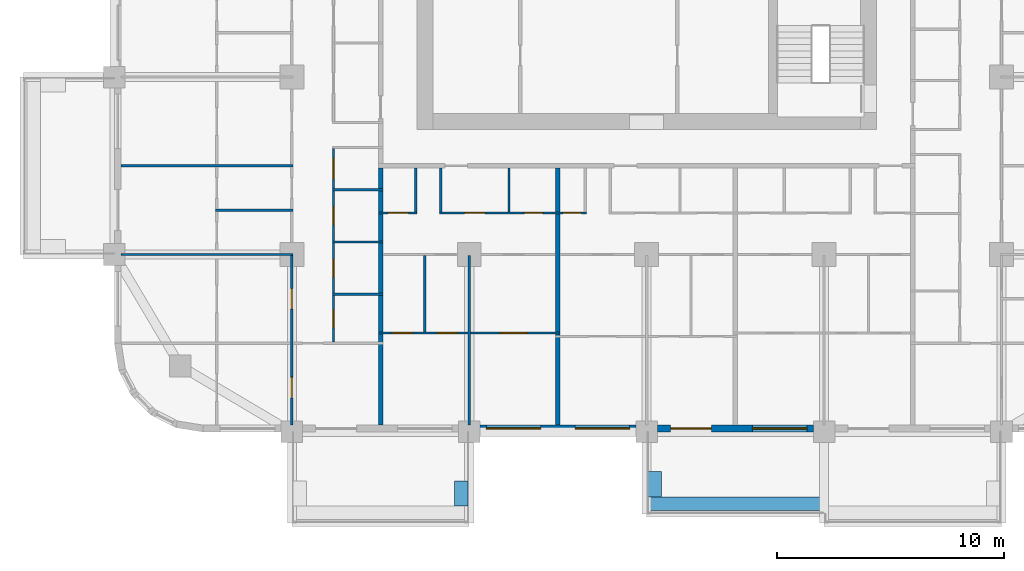
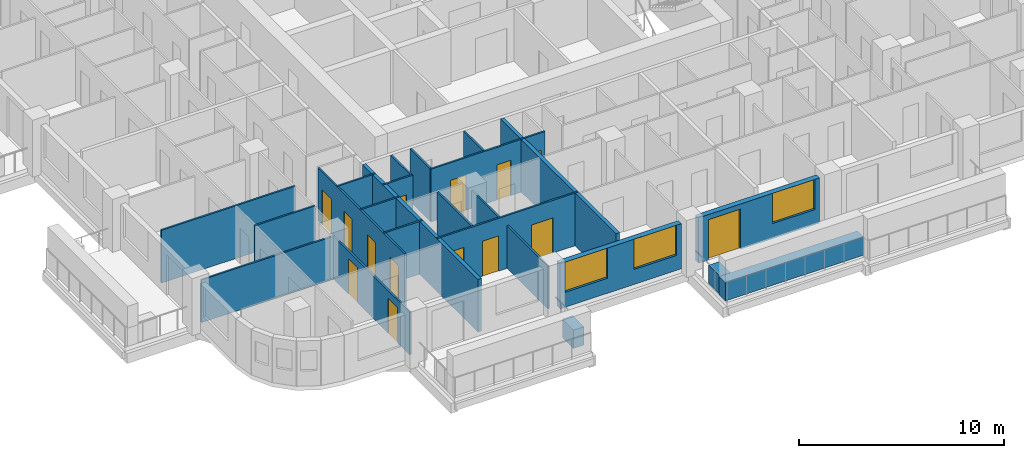
# One storey, part 3 of 18: 23 walls, 14 doors, 3 windows, 17 openings.
"""IFC4 building model written with IfcOpenShell, lengths in metres."""

from ifc_helpers import new_model, si_unit, direction, frame, frame_2d, origin, place, context, subcontext, project, spatial, rectangle, extrude, material, layer, layer_set, type_object, element, fill, save


model = new_model("IFC4")

# Units and contexts
model_context = context("Model", 3, precision=1e-05, world=origin(), true_north=direction((0.0, 1.0)))
body_context = subcontext(model_context, "Body", "Model", "MODEL_VIEW")
ifc_project = project(units=[si_unit("LENGTHUNIT", "METRE"), si_unit("AREAUNIT", "SQUARE_METRE"), si_unit("VOLUMEUNIT", "CUBIC_METRE"), si_unit("PLANEANGLEUNIT", "RADIAN"), si_unit("MASSUNIT", "GRAM", prefix="KILO")], contexts=[model_context])

# Site, building, storey
site_placement = place(None, origin())
site = spatial("IfcSite", under=ifc_project, at=site_placement, CompositionType="ELEMENT")
building_placement = place(site_placement, origin())
building = spatial("IfcBuilding", under=site, at=building_placement, Name="Ludao Terraces", CompositionType="ELEMENT")
storey_placement = place(building_placement, frame((0.0, 0.0, 78.39990234375)))
storey = spatial("IfcBuildingStorey", under=building, at=storey_placement, Name="L21", CompositionType="ELEMENT", Elevation=78.39990234375)

# Walls
ifc_material_1 = material(Name="Concrete C40", Category="concrete")
ifc_layer_1 = layer(ifc_material_1, 0.60009765625)
ifc_layer_set_1 = layer_set([ifc_layer_1], Name="ENV Planter trough 600")
wall_type_1 = type_object("IfcWallType", Name="ENV Planter trough 600", PredefinedType="USERDEFINED", material=ifc_layer_set_1)
wall_1_placement = place(storey_placement, frame((76.85009765625, 38.35009765625, 0.0), z_axis=(0.0, 0.0, 1.0), x_axis=(0.0, 1.0, 0.0)))
element("IfcWall", 1, at=wall_1_placement, inside=storey, type_object=wall_type_1, Name="PL-L21-S1-SB", ObjectType="PLANTER", PredefinedType="USERDEFINED", context=body_context, shape_type="SweptSolid", body=[
    extrude(rectangle(XDim=1.099853515625, YDim=0.60009765625, at=frame_2d((0.5498046875, 0.0))), origin(), (0.0, 0.0, 1.0), 1.10009765625),
])
wall_2_placement = place(storey_placement, frame((85.0, 38.449951171875, 0.0), z_axis=(0.0, 0.0, 1.0), x_axis=(1.0, 0.0, 0.0)))
element("IfcWall", 2, at=wall_2_placement, inside=storey, type_object=wall_type_1, Name="PL-L21-S3", ObjectType="PLANTER", PredefinedType="USERDEFINED", context=body_context, shape_type="SweptSolid", body=[
    extrude(rectangle(XDim=7.800048828125, YDim=0.60009765625, at=frame_2d((3.89990234375, 0.0))), origin(), (0.0, 0.0, 1.0), 1.10009765625),
])
wall_3_placement = place(storey_placement, frame((85.35009765625, 38.75, 0.0), z_axis=(0.0, 0.0, 1.0), x_axis=(0.0, 1.0, 0.0)))
element("IfcWall", 3, at=wall_3_placement, inside=storey, type_object=wall_type_1, Name="PL-L21-S3-SA", ObjectType="PLANTER", PredefinedType="USERDEFINED", context=body_context, shape_type="SweptSolid", body=[
    extrude(rectangle(XDim=1.10009765625, YDim=0.60009765625, at=frame_2d((0.550048828125, 0.0))), origin(), (0.0, 0.0, 1.0), 1.10009765625),
])

# Wall, openings, windows
ifc_material_2 = material(Name="Granite cladding", Category="masonry")
ifc_layer_2 = layer(ifc_material_2, 0.0400390625, Category="stone")
ifc_material_3 = material(Name="Mineral wool")
ifc_layer_3 = layer(ifc_material_3, 0.06005859375)
ifc_layer_4 = layer(ifc_material_1, 0.199951171875, Category="concrete")
ifc_layer_set_2 = layer_set([ifc_layer_2, ifc_layer_3, ifc_layer_4], Name="ENV Stone-clad wall 300")
wall_type_2 = type_object("IfcWallType", Name="ENV Stone-clad wall 300", PredefinedType="SOLIDWALL", material=ifc_layer_set_2)
wall_4_placement = place(storey_placement, frame((77.675048828125, 41.75, 0.0), z_axis=(0.0, 0.0, 1.0), x_axis=(1.0, 0.0, 0.0)))
wall_4 = element("IfcWall", 4, at=wall_4_placement, inside=storey, type_object=wall_type_2, Name="EW-L21-S3", PredefinedType="SOLIDWALL", context=body_context, shape_type="SweptSolid", body=[
    extrude(rectangle(XDim=6.849853515625, YDim=0.300048828125, at=frame_2d((3.4248046875, 0.0))), origin(), (0.0, 0.0, 1.0), 2.7001953125),
])
opening_1_placement = place(wall_4_placement, frame((0.27490234375, 0.0, 0.89990234375)))
opening_1 = element("IfcOpeningElement", 5, at=opening_1_placement, cuts=wall_4, Name="Opening W1", PredefinedType="OPENING", context=body_context, shape_type="SweptSolid", body=[
    extrude(rectangle(XDim=2.39990234375, YDim=1.800048828125, at=frame_2d((1.199951171875, 0.89990234375))), frame((0.0, 0.16015625, 0.0), z_axis=(0.0, -1.0, 0.0), x_axis=(1.0, 0.0, 0.0)), (0.0, 0.0, 1.0), 0.320068359375),
])
opening_2_placement = place(wall_4_placement, frame((4.175048828125, 0.0, 0.89990234375)))
opening_2 = element("IfcOpeningElement", 6, at=opening_2_placement, cuts=wall_4, Name="Opening W1", PredefinedType="OPENING", context=body_context, shape_type="SweptSolid", body=[
    extrude(rectangle(XDim=2.39990234375, YDim=1.800048828125, at=frame_2d((1.199951171875, 0.89990234375))), frame((0.0, 0.16015625, 0.0), z_axis=(0.0, -1.0, 0.0), x_axis=(1.0, 0.0, 0.0)), (0.0, 0.0, 1.0), 0.320068359375),
])
ifc_material_4 = material(Name="Clear glass in aluminium frame", Category="aluminium")
ifc_layer_5 = layer(ifc_material_4, 0.06005859375)
ifc_layer_set_3 = layer_set([ifc_layer_5], Name="ENV Window W1 2400x1800")
window_type = type_object("IfcWindowType", Name="ENV Window W1 2400x1800", PartitioningType="DOUBLE_PANEL_VERTICAL", PredefinedType="WINDOW", material=ifc_layer_set_3)
window_1_placement = place(opening_1_placement, origin())
window_1 = element("IfcWindow", 7, at=window_1_placement, inside=storey, type_object=window_type, Name="W-L21-S3-1", OverallHeight=1.800048828125, OverallWidth=2.39990234375, PartitioningType="DOUBLE_PANEL_VERTICAL", PredefinedType="WINDOW", context=body_context, shape_type="SweptSolid", body=[
    extrude(rectangle(XDim=2.39990234375, YDim=1.800048828125, at=frame_2d((1.199951171875, 0.89990234375))), frame((0.0, 0.030029296875, 0.0), z_axis=(0.0, -1.0, 0.0), x_axis=(1.0, 0.0, 0.0)), (0.0, 0.0, 1.0), 0.06005859375),
])
fill(opening_1, window_1)
window_2_placement = place(opening_2_placement, origin())
window_2 = element("IfcWindow", 8, at=window_2_placement, inside=storey, type_object=window_type, Name="W-L21-S3-2", OverallHeight=1.800048828125, OverallWidth=2.39990234375, PartitioningType="DOUBLE_PANEL_VERTICAL", PredefinedType="WINDOW", context=body_context, shape_type="SweptSolid", body=[
    extrude(rectangle(XDim=2.39990234375, YDim=1.800048828125, at=frame_2d((1.199951171875, 0.89990234375))), frame((0.0, 0.030029296875, 0.0), z_axis=(0.0, -1.0, 0.0), x_axis=(1.0, 0.0, 0.0)), (0.0, 0.0, 1.0), 0.06005859375),
])
fill(opening_2, window_2)

# Wall, openings, door, window
wall_5_placement = place(storey_placement, frame((85.47509765625, 41.75, 0.0), z_axis=(0.0, 0.0, 1.0), x_axis=(1.0, 0.0, 0.0)))
wall_5 = element("IfcWall", 9, at=wall_5_placement, inside=storey, type_object=wall_type_2, Name="EW-L21-S4", PredefinedType="SOLIDWALL", context=body_context, shape_type="SweptSolid", body=[
    extrude(rectangle(XDim=6.849853515625, YDim=0.300048828125, at=frame_2d((3.4248046875, 0.0))), origin(), (0.0, 0.0, 1.0), 2.7001953125),
])
opening_3_placement = place(wall_5_placement, frame((0.574951171875, 0.0, 0.0)))
opening_3 = element("IfcOpeningElement", 10, at=opening_3_placement, cuts=wall_5, Name="Opening BD", PredefinedType="OPENING", context=body_context, shape_type="SweptSolid", body=[
    extrude(rectangle(XDim=1.800048828125, YDim=2.39990234375, at=frame_2d((0.89990234375, 1.199951171875))), frame((0.0, 0.16015625, 0.0), z_axis=(0.0, -1.0, 0.0), x_axis=(1.0, 0.0, 0.0)), (0.0, 0.0, 1.0), 0.320068359375),
])
opening_4_placement = place(wall_5_placement, frame((4.175048828125, 0.0, 0.89990234375)))
opening_4 = element("IfcOpeningElement", 11, at=opening_4_placement, cuts=wall_5, Name="Opening W1", PredefinedType="OPENING", context=body_context, shape_type="SweptSolid", body=[
    extrude(rectangle(XDim=2.39990234375, YDim=1.800048828125, at=frame_2d((1.199951171875, 0.89990234375))), frame((0.0, 0.16015625, 0.0), z_axis=(0.0, -1.0, 0.0), x_axis=(1.0, 0.0, 0.0)), (0.0, 0.0, 1.0), 0.320068359375),
])
ifc_material_5 = material(Name="Aluminium glazed door", Category="aluminium")
ifc_layer_6 = layer(ifc_material_5, 0.06005859375)
ifc_layer_set_4 = layer_set([ifc_layer_6], Name="ENV Balcony door BD 1800x2400")
door_type_1 = type_object("IfcDoorType", Name="ENV Balcony door BD 1800x2400", OperationType="DOUBLE_DOOR_SINGLE_SWING", PredefinedType="DOOR", material=ifc_layer_set_4)
door_1_placement = place(opening_3_placement, origin())
door_1 = element("IfcDoor", 12, at=door_1_placement, inside=storey, type_object=door_type_1, Name="BD-L21-S4-1", OperationType="DOUBLE_DOOR_SINGLE_SWING", OverallHeight=2.39990234375, OverallWidth=1.800048828125, PredefinedType="DOOR", context=body_context, shape_type="SweptSolid", body=[
    extrude(rectangle(XDim=1.800048828125, YDim=2.39990234375, at=frame_2d((0.89990234375, 1.199951171875))), frame((0.0, 0.02490234375, 0.0), z_axis=(0.0, -1.0, 0.0), x_axis=(1.0, 0.0, 0.0)), (0.0, 0.0, 1.0), 0.050048828125),
])
fill(opening_3, door_1)
window_3_placement = place(opening_4_placement, origin())
window_3 = element("IfcWindow", 13, at=window_3_placement, inside=storey, type_object=window_type, Name="W-L21-S4-2", OverallHeight=1.800048828125, OverallWidth=2.39990234375, PartitioningType="DOUBLE_PANEL_VERTICAL", PredefinedType="WINDOW", context=body_context, shape_type="SweptSolid", body=[
    extrude(rectangle(XDim=2.39990234375, YDim=1.800048828125, at=frame_2d((1.199951171875, 0.89990234375))), frame((0.0, 0.030029296875, 0.0), z_axis=(0.0, -1.0, 0.0), x_axis=(1.0, 0.0, 0.0)), (0.0, 0.0, 1.0), 0.06005859375),
])
fill(opening_4, window_3)

# Wall, openings, doors
ifc_material_6 = material(Name="Gypsum plasterboard", Category="gypsum")
ifc_layer_7 = layer(ifc_material_6, 0.012451171875, Category="gypsum")
ifc_layer_8 = layer(ifc_material_3, 0.06005859375, Name="insulation")
ifc_material_7 = material(Name="Steel Q235", Category="steel")
ifc_layer_9 = layer(ifc_material_7, 0.014892578125, Name="stud")
ifc_layer_10 = layer(ifc_material_6, 0.012451171875, Category="gypsum")
ifc_layer_set_5 = layer_set([ifc_layer_7, ifc_layer_8, ifc_layer_9, ifc_layer_10], Name="INT Partition 100")
wall_type_3 = type_object("IfcWallType", Name="INT Partition 100", PredefinedType="PARTITIONING", material=ifc_layer_set_5)
wall_6_placement = place(storey_placement, frame((73.2001953125, 45.949951171875, 0.0), z_axis=(0.0, 0.0, 1.0), x_axis=(1.0, 0.0, 0.0)))
wall_6 = element("IfcWall", 14, at=wall_6_placement, inside=storey, type_object=wall_type_3, Name="PW-L21-PW003", PredefinedType="PARTITIONING", context=body_context, shape_type="SweptSolid", body=[
    extrude(rectangle(XDim=8.0, YDim=0.10009765625, at=frame_2d((4.0, 0.0))), origin(), (0.0, 0.0, 1.0), 3.150146484375),
])
opening_5_placement = place(wall_6_placement, frame((0.625, 0.0, 0.0)))
opening_5 = element("IfcOpeningElement", 15, at=opening_5_placement, cuts=wall_6, Name="Opening R06-010", PredefinedType="OPENING", context=body_context, shape_type="SweptSolid", body=[
    extrude(rectangle(XDim=0.89990234375, YDim=2.10009765625, at=frame_2d((0.449951171875, 1.050048828125))), frame((0.0, 0.06005859375, 0.0), z_axis=(0.0, -1.0, 0.0), x_axis=(1.0, 0.0, 0.0)), (0.0, 0.0, 1.0), 0.1201171875),
])
opening_6_placement = place(wall_6_placement, frame((2.574951171875, 0.0, 0.0)))
opening_6 = element("IfcOpeningElement", 16, at=opening_6_placement, cuts=wall_6, Name="Opening R06-011", PredefinedType="OPENING", context=body_context, shape_type="SweptSolid", body=[
    extrude(rectangle(XDim=0.89990234375, YDim=2.10009765625, at=frame_2d((0.449951171875, 1.050048828125))), frame((0.0, 0.06005859375, 0.0), z_axis=(0.0, -1.0, 0.0), x_axis=(1.0, 0.0, 0.0)), (0.0, 0.0, 1.0), 0.1201171875),
])
opening_7_placement = place(wall_6_placement, frame((5.349853515625, 0.0, 0.0)))
opening_7 = element("IfcOpeningElement", 17, at=opening_7_placement, cuts=wall_6, Name="Opening R06-012", PredefinedType="OPENING", context=body_context, shape_type="SweptSolid", body=[
    extrude(rectangle(XDim=1.199951171875, YDim=2.10009765625, at=frame_2d((0.60009765625, 1.050048828125))), frame((0.0, 0.06005859375, 0.0), z_axis=(0.0, -1.0, 0.0), x_axis=(1.0, 0.0, 0.0)), (0.0, 0.0, 1.0), 0.1201171875),
])
ifc_material_8 = material(Name="Timber door leaf", Category="wood")
door_type_2 = type_object("IfcDoorType", Name="INT Bathroom door 900", OperationType="SINGLE_SWING_LEFT", PredefinedType="DOOR", material=ifc_material_8)
door_2_placement = place(opening_5_placement, origin())
door_2 = element("IfcDoor", 18, at=door_2_placement, inside=storey, type_object=door_type_2, Name="DOOR 010", OperationType="SINGLE_SWING_LEFT", OverallHeight=2.10009765625, OverallWidth=0.89990234375, PredefinedType="DOOR", context=body_context, shape_type="SweptSolid", body=[
    extrude(rectangle(XDim=0.89990234375, YDim=2.10009765625, at=frame_2d((0.449951171875, 1.050048828125))), frame((0.0, 0.02490234375, 0.0), z_axis=(0.0, -1.0, 0.0), x_axis=(1.0, 0.0, 0.0)), (0.0, 0.0, 1.0), 0.050048828125),
])
fill(opening_5, door_2)
door_type_3 = type_object("IfcDoorType", Name="INT Double door 1200", OperationType="DOUBLE_DOOR_SINGLE_SWING", PredefinedType="DOOR", material=ifc_material_8)
door_3_placement = place(opening_7_placement, origin())
door_3 = element("IfcDoor", 19, at=door_3_placement, inside=storey, type_object=door_type_3, Name="DOOR 012", OperationType="DOUBLE_DOOR_SINGLE_SWING", OverallHeight=2.10009765625, OverallWidth=1.199951171875, PredefinedType="DOOR", context=body_context, shape_type="SweptSolid", body=[
    extrude(rectangle(XDim=1.199951171875, YDim=2.10009765625, at=frame_2d((0.60009765625, 1.050048828125))), frame((0.0, 0.02490234375, 0.0), z_axis=(0.0, -1.0, 0.0), x_axis=(1.0, 0.0, 0.0)), (0.0, 0.0, 1.0), 0.050048828125),
])
fill(opening_7, door_3)
door_type_4 = type_object("IfcDoorType", Name="INT Room door 900", OperationType="SINGLE_SWING_LEFT", PredefinedType="DOOR", material=ifc_material_8)
door_4_placement = place(opening_6_placement, origin())
door_4 = element("IfcDoor", 20, at=door_4_placement, inside=storey, type_object=door_type_4, Name="DOOR 011", OperationType="SINGLE_SWING_LEFT", OverallHeight=2.10009765625, OverallWidth=0.89990234375, PredefinedType="DOOR", context=body_context, shape_type="SweptSolid", body=[
    extrude(rectangle(XDim=0.89990234375, YDim=2.10009765625, at=frame_2d((0.449951171875, 1.050048828125))), frame((0.0, 0.02490234375, 0.0), z_axis=(0.0, -1.0, 0.0), x_axis=(1.0, 0.0, 0.0)), (0.0, 0.0, 1.0), 0.050048828125),
])
fill(opening_6, door_4)

# Walls
wall_7_placement = place(storey_placement, frame((71.18017578125, 47.64990234375, 0.0), z_axis=(0.0, 0.0, 1.0), x_axis=(1.0, 0.0, 0.0)))
element("IfcWall", 21, at=wall_7_placement, inside=storey, type_object=wall_type_3, Name="PW-L21-PW006", PredefinedType="PARTITIONING", context=body_context, shape_type="SweptSolid", body=[
    extrude(rectangle(XDim=2.219970703125, YDim=0.10009765625, at=frame_2d((1.10986328125, 0.0))), origin(), (0.0, 0.0, 1.0), 3.150146484375),
])
wall_8_placement = place(storey_placement, frame((61.900146484375, 49.39990234375, 0.0), z_axis=(0.0, 0.0, 1.0), x_axis=(1.0, 0.0, 0.0)))
element("IfcWall", 22, at=wall_8_placement, inside=storey, type_object=wall_type_3, Name="PW-L21-PW008", PredefinedType="PARTITIONING", context=body_context, shape_type="SweptSolid", body=[
    extrude(rectangle(XDim=7.550048828125, YDim=0.10009765625, at=frame_2d((3.77490234375, 0.0))), origin(), (0.0, 0.0, 1.0), 2.550048828125),
])
wall_9_placement = place(storey_placement, frame((71.18017578125, 49.949951171875, 0.0), z_axis=(0.0, 0.0, 1.0), x_axis=(1.0, 0.0, 0.0)))
element("IfcWall", 23, at=wall_9_placement, inside=storey, type_object=wall_type_3, Name="PW-L21-PW011", PredefinedType="PARTITIONING", context=body_context, shape_type="SweptSolid", body=[
    extrude(rectangle(XDim=2.219970703125, YDim=0.10009765625, at=frame_2d((1.10986328125, 0.0))), origin(), (0.0, 0.0, 1.0), 3.150146484375),
])

# Wall, opening, door
wall_10_placement = place(storey_placement, frame((73.2001953125, 51.22998046875, 0.0), z_axis=(0.0, 0.0, 1.0), x_axis=(1.0, 0.0, 0.0)))
wall_10 = element("IfcWall", 24, at=wall_10_placement, inside=storey, type_object=wall_type_3, Name="PW-L21-PW013", PredefinedType="PARTITIONING", context=body_context, shape_type="SweptSolid", body=[
    extrude(rectangle(XDim=1.699951171875, YDim=0.10009765625, at=frame_2d((0.85009765625, 0.0))), origin(), (0.0, 0.0, 1.0), 3.150146484375),
])
opening_8_placement = place(wall_10_placement, frame((0.4248046875, 0.0, 0.0)))
opening_8 = element("IfcOpeningElement", 25, at=opening_8_placement, cuts=wall_10, Name="Opening R06-033", PredefinedType="OPENING", context=body_context, shape_type="SweptSolid", body=[
    extrude(rectangle(XDim=0.89990234375, YDim=2.10009765625, at=frame_2d((0.449951171875, 1.050048828125))), frame((0.0, 0.06005859375, 0.0), z_axis=(0.0, -1.0, 0.0), x_axis=(1.0, 0.0, 0.0)), (0.0, 0.0, 1.0), 0.1201171875),
])
door_5_placement = place(opening_8_placement, origin())
door_5 = element("IfcDoor", 26, at=door_5_placement, inside=storey, type_object=door_type_2, Name="DOOR 033", OperationType="SINGLE_SWING_LEFT", OverallHeight=2.10009765625, OverallWidth=0.89990234375, PredefinedType="DOOR", context=body_context, shape_type="SweptSolid", body=[
    extrude(rectangle(XDim=0.89990234375, YDim=2.10009765625, at=frame_2d((0.449951171875, 1.050048828125))), frame((0.0, 0.02490234375, 0.0), z_axis=(0.0, -1.0, 0.0), x_axis=(1.0, 0.0, 0.0)), (0.0, 0.0, 1.0), 0.050048828125),
])
fill(opening_8, door_5)

# Wall, openings, doors
wall_11_placement = place(storey_placement, frame((75.900146484375, 51.22998046875, 0.0), z_axis=(0.0, 0.0, 1.0), x_axis=(1.0, 0.0, 0.0)))
wall_11 = element("IfcWall", 27, at=wall_11_placement, inside=storey, type_object=wall_type_3, Name="PW-L21-PW014", PredefinedType="PARTITIONING", context=body_context, shape_type="SweptSolid", body=[
    extrude(rectangle(XDim=6.449951171875, YDim=0.10009765625, at=frame_2d((3.22509765625, 0.0))), origin(), (0.0, 0.0, 1.0), 3.150146484375),
])
opening_9_placement = place(wall_11_placement, frame((1.10009765625, 0.0, 0.0)))
opening_9 = element("IfcOpeningElement", 28, at=opening_9_placement, cuts=wall_11, Name="Opening R06-034", PredefinedType="OPENING", context=body_context, shape_type="SweptSolid", body=[
    extrude(rectangle(XDim=0.89990234375, YDim=2.10009765625, at=frame_2d((0.449951171875, 1.050048828125))), frame((0.0, 0.06005859375, 0.0), z_axis=(0.0, -1.0, 0.0), x_axis=(1.0, 0.0, 0.0)), (0.0, 0.0, 1.0), 0.1201171875),
])
opening_10_placement = place(wall_11_placement, frame((3.72509765625, 0.0, 0.0)))
opening_10 = element("IfcOpeningElement", 29, at=opening_10_placement, cuts=wall_11, Name="Opening R06-035", PredefinedType="OPENING", context=body_context, shape_type="SweptSolid", body=[
    extrude(rectangle(XDim=0.800048828125, YDim=2.10009765625, at=frame_2d((0.39990234375, 1.050048828125))), frame((0.0, 0.06005859375, 0.0), z_axis=(0.0, -1.0, 0.0), x_axis=(1.0, 0.0, 0.0)), (0.0, 0.0, 1.0), 0.1201171875),
])
opening_11_placement = place(wall_11_placement, frame((5.425048828125, 0.0, 0.0)))
opening_11 = element("IfcOpeningElement", 30, at=opening_11_placement, cuts=wall_11, Name="Opening R06-036", PredefinedType="OPENING", context=body_context, shape_type="SweptSolid", body=[
    extrude(rectangle(XDim=0.800048828125, YDim=2.10009765625, at=frame_2d((0.39990234375, 1.050048828125))), frame((0.0, 0.06005859375, 0.0), z_axis=(0.0, -1.0, 0.0), x_axis=(1.0, 0.0, 0.0)), (0.0, 0.0, 1.0), 0.1201171875),
])
door_6_placement = place(opening_9_placement, origin())
door_6 = element("IfcDoor", 31, at=door_6_placement, inside=storey, type_object=door_type_4, Name="DOOR 034", OperationType="SINGLE_SWING_LEFT", OverallHeight=2.10009765625, OverallWidth=0.89990234375, PredefinedType="DOOR", context=body_context, shape_type="SweptSolid", body=[
    extrude(rectangle(XDim=0.89990234375, YDim=2.10009765625, at=frame_2d((0.449951171875, 1.050048828125))), frame((0.0, 0.02490234375, 0.0), z_axis=(0.0, -1.0, 0.0), x_axis=(1.0, 0.0, 0.0)), (0.0, 0.0, 1.0), 0.050048828125),
])
fill(opening_9, door_6)
door_type_5 = type_object("IfcDoorType", Name="INT Store door 800", OperationType="SINGLE_SWING_LEFT", PredefinedType="DOOR", material=ifc_material_8)
door_7_placement = place(opening_10_placement, origin())
door_7 = element("IfcDoor", 32, at=door_7_placement, inside=storey, type_object=door_type_5, Name="DOOR 035", OperationType="SINGLE_SWING_RIGHT", OverallHeight=2.10009765625, OverallWidth=0.800048828125, PredefinedType="DOOR", context=body_context, shape_type="SweptSolid", body=[
    extrude(rectangle(XDim=0.800048828125, YDim=2.10009765625, at=frame_2d((0.39990234375, 1.050048828125))), frame((0.0, 0.02490234375, 0.0), z_axis=(0.0, -1.0, 0.0), x_axis=(1.0, 0.0, 0.0)), (0.0, 0.0, 1.0), 0.050048828125),
])
fill(opening_10, door_7)
door_8_placement = place(opening_11_placement, origin())
door_8 = element("IfcDoor", 33, at=door_8_placement, inside=storey, type_object=door_type_5, Name="DOOR 036", OperationType="SINGLE_SWING_LEFT", OverallHeight=2.10009765625, OverallWidth=0.800048828125, PredefinedType="DOOR", context=body_context, shape_type="SweptSolid", body=[
    extrude(rectangle(XDim=0.800048828125, YDim=2.10009765625, at=frame_2d((0.39990234375, 1.050048828125))), frame((0.0, 0.02490234375, 0.0), z_axis=(0.0, -1.0, 0.0), x_axis=(1.0, 0.0, 0.0)), (0.0, 0.0, 1.0), 0.050048828125),
])
fill(opening_11, door_8)

# Walls
wall_12_placement = place(storey_placement, frame((66.050048828125, 51.35009765625, 0.0), z_axis=(0.0, 0.0, 1.0), x_axis=(1.0, 0.0, 0.0)))
element("IfcWall", 34, at=wall_12_placement, inside=storey, type_object=wall_type_3, Name="PW-L21-PW017", PredefinedType="PARTITIONING", context=body_context, shape_type="SweptSolid", body=[
    extrude(rectangle(XDim=3.400146484375, YDim=0.10009765625, at=frame_2d((1.7001953125, 0.0))), origin(), (0.0, 0.0, 1.0), 3.150146484375),
])
wall_13_placement = place(storey_placement, frame((71.18017578125, 52.25, 0.0), z_axis=(0.0, 0.0, 1.0), x_axis=(1.0, 0.0, 0.0)))
element("IfcWall", 35, at=wall_13_placement, inside=storey, type_object=wall_type_3, Name="PW-L21-PW018", PredefinedType="PARTITIONING", context=body_context, shape_type="SweptSolid", body=[
    extrude(rectangle(XDim=2.219970703125, YDim=0.10009765625, at=frame_2d((1.10986328125, 0.0))), origin(), (0.0, 0.0, 1.0), 3.150146484375),
])
wall_14_placement = place(storey_placement, frame((61.900146484375, 53.300048828125, 0.0), z_axis=(0.0, 0.0, 1.0), x_axis=(1.0, 0.0, 0.0)))
element("IfcWall", 36, at=wall_14_placement, inside=storey, type_object=wall_type_3, Name="PW-L21-PW019", PredefinedType="PARTITIONING", context=body_context, shape_type="SweptSolid", body=[
    extrude(rectangle(XDim=7.550048828125, YDim=0.10009765625, at=frame_2d((3.77490234375, 0.0))), origin(), (0.0, 0.0, 1.0), 3.150146484375),
])

# Wall, openings, doors
wall_15_placement = place(storey_placement, frame((69.39990234375, 41.900146484375, 0.0), z_axis=(0.0, 0.0, 1.0), x_axis=(0.0, 1.0, 0.0)))
wall_15 = element("IfcWall", 37, at=wall_15_placement, inside=storey, type_object=wall_type_3, Name="PW-L21-PW083", PredefinedType="PARTITIONING", context=body_context, shape_type="SweptSolid", body=[
    extrude(rectangle(XDim=7.499755859375, YDim=0.10009765625, at=frame_2d((3.75, 0.0))), origin(), (0.0, 0.0, 1.0), 2.550048828125),
])
opening_12_placement = place(wall_15_placement, frame((1.199951171875, 0.0, 0.0)))
opening_12 = element("IfcOpeningElement", 38, at=opening_12_placement, cuts=wall_15, Name="Opening R06-002", PredefinedType="OPENING", context=body_context, shape_type="SweptSolid", body=[
    extrude(rectangle(XDim=0.89990234375, YDim=2.10009765625, at=frame_2d((0.449951171875, 1.050048828125))), frame((0.0, 0.06005859375, 0.0), z_axis=(0.0, -1.0, 0.0), x_axis=(1.0, 0.0, 0.0)), (0.0, 0.0, 1.0), 0.1201171875),
])
opening_13_placement = place(wall_15_placement, frame((5.10009765625, 0.0, 0.0)))
opening_13 = element("IfcOpeningElement", 39, at=opening_13_placement, cuts=wall_15, Name="Opening R06-020", PredefinedType="OPENING", context=body_context, shape_type="SweptSolid", body=[
    extrude(rectangle(XDim=0.89990234375, YDim=2.10009765625, at=frame_2d((0.449951171875, 1.050048828125))), frame((0.0, 0.06005859375, 0.0), z_axis=(0.0, -1.0, 0.0), x_axis=(1.0, 0.0, 0.0)), (0.0, 0.0, 1.0), 0.1201171875),
])
door_9_placement = place(opening_12_placement, origin())
door_9 = element("IfcDoor", 40, at=door_9_placement, inside=storey, type_object=door_type_4, Name="DOOR 002", OperationType="SINGLE_SWING_LEFT", OverallHeight=2.10009765625, OverallWidth=0.89990234375, PredefinedType="DOOR", context=body_context, shape_type="SweptSolid", body=[
    extrude(rectangle(XDim=0.89990234375, YDim=2.10009765625, at=frame_2d((0.449951171875, 1.050048828125))), frame((0.0, 0.02490234375, 0.0), z_axis=(0.0, -1.0, 0.0), x_axis=(1.0, 0.0, 0.0)), (0.0, 0.0, 1.0), 0.050048828125),
])
fill(opening_12, door_9)
door_10_placement = place(opening_13_placement, origin())
door_10 = element("IfcDoor", 41, at=door_10_placement, inside=storey, type_object=door_type_4, Name="DOOR 020", OperationType="SINGLE_SWING_LEFT", OverallHeight=2.10009765625, OverallWidth=0.89990234375, PredefinedType="DOOR", context=body_context, shape_type="SweptSolid", body=[
    extrude(rectangle(XDim=0.89990234375, YDim=2.10009765625, at=frame_2d((0.449951171875, 1.050048828125))), frame((0.0, 0.02490234375, 0.0), z_axis=(0.0, -1.0, 0.0), x_axis=(1.0, 0.0, 0.0)), (0.0, 0.0, 1.0), 0.050048828125),
])
fill(opening_13, door_10)

wall_16_placement = place(storey_placement, frame((71.22998046875, 45.550048828125, 0.0), z_axis=(0.0, 0.0, 1.0), x_axis=(0.0, 1.0, 0.0)))
wall_16 = element("IfcWall", 42, at=wall_16_placement, inside=storey, type_object=wall_type_3, Name="PW-L21-PW084", PredefinedType="PARTITIONING", context=body_context, shape_type="SweptSolid", body=[
    extrude(rectangle(XDim=8.5, YDim=0.10009765625, at=frame_2d((4.25, 0.0))), origin(), (0.0, 0.0, 1.0), 3.150146484375),
])
opening_14_placement = place(wall_16_placement, frame((0.625, 0.0, 0.0)))
opening_14 = element("IfcOpeningElement", 43, at=opening_14_placement, cuts=wall_16, Name="Opening R06-017", PredefinedType="OPENING", context=body_context, shape_type="SweptSolid", body=[
    extrude(rectangle(XDim=0.800048828125, YDim=2.10009765625, at=frame_2d((0.39990234375, 1.050048828125))), frame((0.0, 0.06005859375, 0.0), z_axis=(0.0, -1.0, 0.0), x_axis=(1.0, 0.0, 0.0)), (0.0, 0.0, 1.0), 0.1201171875),
])
opening_15_placement = place(wall_16_placement, frame((2.85009765625, 0.0, 0.0)))
opening_15 = element("IfcOpeningElement", 44, at=opening_15_placement, cuts=wall_16, Name="Opening R06-023", PredefinedType="OPENING", context=body_context, shape_type="SweptSolid", body=[
    extrude(rectangle(XDim=0.800048828125, YDim=2.10009765625, at=frame_2d((0.39990234375, 1.050048828125))), frame((0.0, 0.06005859375, 0.0), z_axis=(0.0, -1.0, 0.0), x_axis=(1.0, 0.0, 0.0)), (0.0, 0.0, 1.0), 0.1201171875),
])
opening_16_placement = place(wall_16_placement, frame((5.14990234375, 0.0, 0.0)))
opening_16 = element("IfcOpeningElement", 45, at=opening_16_placement, cuts=wall_16, Name="Opening R06-032", PredefinedType="OPENING", context=body_context, shape_type="SweptSolid", body=[
    extrude(rectangle(XDim=0.800048828125, YDim=2.10009765625, at=frame_2d((0.39990234375, 1.050048828125))), frame((0.0, 0.06005859375, 0.0), z_axis=(0.0, -1.0, 0.0), x_axis=(1.0, 0.0, 0.0)), (0.0, 0.0, 1.0), 0.1201171875),
])
opening_17_placement = place(wall_16_placement, frame((7.175048828125, 0.0, 0.0)))
opening_17 = element("IfcOpeningElement", 46, at=opening_17_placement, cuts=wall_16, Name="Opening R06-047", PredefinedType="OPENING", context=body_context, shape_type="SweptSolid", body=[
    extrude(rectangle(XDim=0.89990234375, YDim=2.10009765625, at=frame_2d((0.449951171875, 1.050048828125))), frame((0.0, 0.06005859375, 0.0), z_axis=(0.0, -1.0, 0.0), x_axis=(1.0, 0.0, 0.0)), (0.0, 0.0, 1.0), 0.1201171875),
])
door_11_placement = place(opening_17_placement, origin())
door_11 = element("IfcDoor", 47, at=door_11_placement, inside=storey, type_object=door_type_2, Name="DOOR 047", OperationType="SINGLE_SWING_LEFT", OverallHeight=2.10009765625, OverallWidth=0.89990234375, PredefinedType="DOOR", context=body_context, shape_type="SweptSolid", body=[
    extrude(rectangle(XDim=0.89990234375, YDim=2.10009765625, at=frame_2d((0.449951171875, 1.050048828125))), frame((0.0, 0.02490234375, 0.0), z_axis=(0.0, -1.0, 0.0), x_axis=(1.0, 0.0, 0.0)), (0.0, 0.0, 1.0), 0.050048828125),
])
fill(opening_17, door_11)
door_12_placement = place(opening_14_placement, origin())
door_12 = element("IfcDoor", 48, at=door_12_placement, inside=storey, type_object=door_type_5, Name="DOOR 017", OperationType="SINGLE_SWING_RIGHT", OverallHeight=2.10009765625, OverallWidth=0.800048828125, PredefinedType="DOOR", context=body_context, shape_type="SweptSolid", body=[
    extrude(rectangle(XDim=0.800048828125, YDim=2.10009765625, at=frame_2d((0.39990234375, 1.050048828125))), frame((0.0, 0.02490234375, 0.0), z_axis=(0.0, -1.0, 0.0), x_axis=(1.0, 0.0, 0.0)), (0.0, 0.0, 1.0), 0.050048828125),
])
fill(opening_14, door_12)
door_13_placement = place(opening_15_placement, origin())
door_13 = element("IfcDoor", 49, at=door_13_placement, inside=storey, type_object=door_type_5, Name="DOOR 023", OperationType="SINGLE_SWING_RIGHT", OverallHeight=2.10009765625, OverallWidth=0.800048828125, PredefinedType="DOOR", context=body_context, shape_type="SweptSolid", body=[
    extrude(rectangle(XDim=0.800048828125, YDim=2.10009765625, at=frame_2d((0.39990234375, 1.050048828125))), frame((0.0, 0.02490234375, 0.0), z_axis=(0.0, -1.0, 0.0), x_axis=(1.0, 0.0, 0.0)), (0.0, 0.0, 1.0), 0.050048828125),
])
fill(opening_15, door_13)
door_14_placement = place(opening_16_placement, origin())
door_14 = element("IfcDoor", 50, at=door_14_placement, inside=storey, type_object=door_type_5, Name="DOOR 032", OperationType="SINGLE_SWING_RIGHT", OverallHeight=2.10009765625, OverallWidth=0.800048828125, PredefinedType="DOOR", context=body_context, shape_type="SweptSolid", body=[
    extrude(rectangle(XDim=0.800048828125, YDim=2.10009765625, at=frame_2d((0.39990234375, 1.050048828125))), frame((0.0, 0.02490234375, 0.0), z_axis=(0.0, -1.0, 0.0), x_axis=(1.0, 0.0, 0.0)), (0.0, 0.0, 1.0), 0.050048828125),
])
fill(opening_16, door_14)

# Walls
wall_17_placement = place(storey_placement, frame((74.85009765625, 51.280029296875, 0.0), z_axis=(0.0, 0.0, 1.0), x_axis=(0.0, 1.0, 0.0)))
element("IfcWall", 51, at=wall_17_placement, inside=storey, type_object=wall_type_3, Name="PW-L21-PW091", PredefinedType="PARTITIONING", context=body_context, shape_type="SweptSolid", body=[
    extrude(rectangle(XDim=1.920166015625, YDim=0.10009765625, at=frame_2d((0.9599609375, 0.0))), origin(), (0.0, 0.0, 1.0), 3.150146484375),
])
wall_18_placement = place(storey_placement, frame((75.25, 46.0, 0.0), z_axis=(0.0, 0.0, 1.0), x_axis=(0.0, 1.0, 0.0)))
element("IfcWall", 52, at=wall_18_placement, inside=storey, type_object=wall_type_3, Name="PW-L21-PW092", PredefinedType="PARTITIONING", context=body_context, shape_type="SweptSolid", body=[
    extrude(rectangle(XDim=3.35009765625, YDim=0.10009765625, at=frame_2d((1.675048828125, 0.0))), origin(), (0.0, 0.0, 1.0), 3.150146484375),
])
wall_19_placement = place(storey_placement, frame((75.949951171875, 51.280029296875, 0.0), z_axis=(0.0, 0.0, 1.0), x_axis=(0.0, 1.0, 0.0)))
element("IfcWall", 53, at=wall_19_placement, inside=storey, type_object=wall_type_3, Name="PW-L21-PW093", PredefinedType="PARTITIONING", context=body_context, shape_type="SweptSolid", body=[
    extrude(rectangle(XDim=1.920166015625, YDim=0.10009765625, at=frame_2d((0.9599609375, 0.0))), origin(), (0.0, 0.0, 1.0), 3.150146484375),
])
wall_20_placement = place(storey_placement, frame((77.199951171875, 41.900146484375, 0.0), z_axis=(0.0, 0.0, 1.0), x_axis=(0.0, 1.0, 0.0)))
element("IfcWall", 54, at=wall_20_placement, inside=storey, type_object=wall_type_3, Name="PW-L21-PW094", PredefinedType="PARTITIONING", context=body_context, shape_type="SweptSolid", body=[
    extrude(rectangle(XDim=7.449951171875, YDim=0.10009765625, at=frame_2d((3.72509765625, 0.0))), origin(), (0.0, 0.0, 1.0), 2.550048828125),
])
wall_21_placement = place(storey_placement, frame((78.949951171875, 51.280029296875, 0.0), z_axis=(0.0, 0.0, 1.0), x_axis=(0.0, 1.0, 0.0)))
element("IfcWall", 55, at=wall_21_placement, inside=storey, type_object=wall_type_3, Name="PW-L21-PW096", PredefinedType="PARTITIONING", context=body_context, shape_type="SweptSolid", body=[
    extrude(rectangle(XDim=1.920166015625, YDim=0.10009765625, at=frame_2d((0.9599609375, 0.0))), origin(), (0.0, 0.0, 1.0), 3.150146484375),
])
ifc_material_9 = material(Name="Autoclaved aerated concrete block B06 A3.5", Category="concrete")
ifc_layer_11 = layer(ifc_material_9, 0.199951171875)
ifc_layer_set_6 = layer_set([ifc_layer_11], Name="INT Party wall 200")
wall_type_4 = type_object("IfcWallType", Name="INT Party wall 200", PredefinedType="PARTITIONING", material=ifc_layer_set_6)
for number, where, z_axis, x_axis, name in (
    (56, (73.300048828125, 41.900146484375, 0.0), (0.0, 0.0, 1.0), (0.0, 1.0, 0.0), "PW-L21-PW088"),
    (57, (81.10009765625, 41.900146484375, 0.0), (0.0, 0.0, 1.0), (0.0, 1.0, 0.0), "PW-L21-PW098"),
):
    element("IfcWall", number, at=place(storey_placement, frame(where, z_axis=z_axis, x_axis=x_axis)), inside=storey, type_object=wall_type_4, Name=name, PredefinedType="PARTITIONING", context=body_context, shape_type="SweptSolid", body=[
        extrude(rectangle(XDim=11.300048828125, YDim=0.199951171875, at=frame_2d((5.64990234375, 0.0))), origin(), (0.0, 0.0, 1.0), 3.150146484375),
    ])

save(model, "model.ifc")
